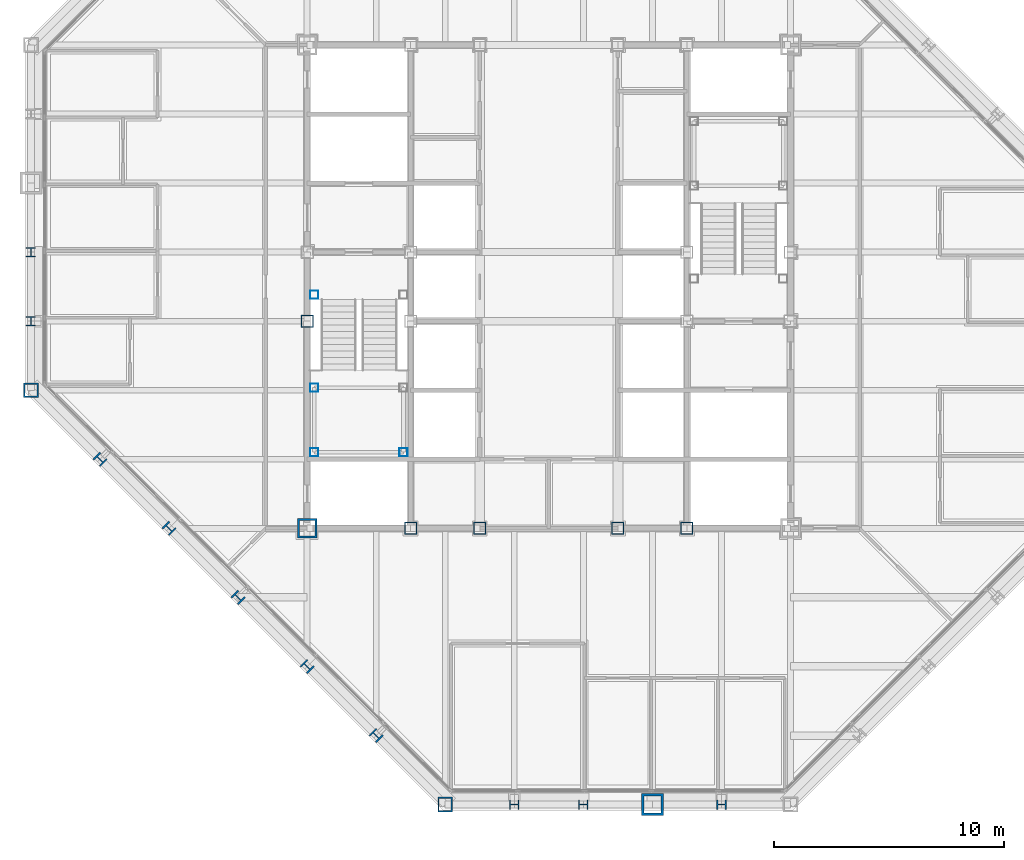
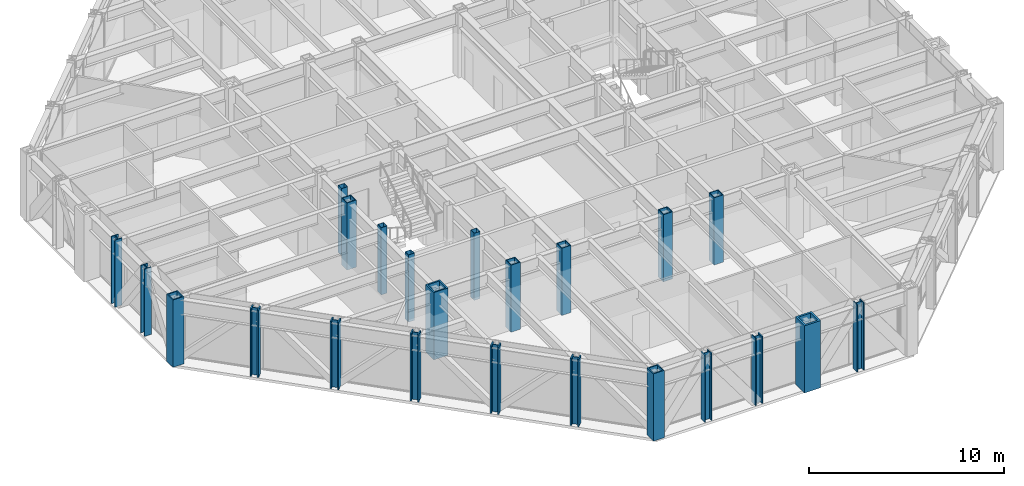
# One storey, part 1 of 16: 23 columns.
"""IFC4 building model written with IfcOpenShell, lengths in metres."""

from ifc_helpers import new_model, si_unit, direction, frame, origin, origin_2d, place, context, subcontext, project, spatial, hollow_rectangle, i_section, extrude, material, material_profile, profile_set, type_object, element, save


model = new_model("IFC4")

# Units and contexts
model_context = context("Model", 3, precision=1e-05, world=origin(), true_north=direction((0.0, 1.0)))
body_context = subcontext(model_context, "Body", "Model", "MODEL_VIEW")
ifc_project = project(units=[si_unit("LENGTHUNIT", "METRE"), si_unit("AREAUNIT", "SQUARE_METRE"), si_unit("VOLUMEUNIT", "CUBIC_METRE"), si_unit("PLANEANGLEUNIT", "RADIAN"), si_unit("MASSUNIT", "GRAM", prefix="KILO")], contexts=[model_context])

# Site, building, storey
site_placement = place(None, origin())
site = spatial("IfcSite", under=ifc_project, at=site_placement, CompositionType="ELEMENT")
building_placement = place(site_placement, origin())
building = spatial("IfcBuilding", under=site, at=building_placement, Name="Chuquiago Exchange Tower", CompositionType="ELEMENT")
storey_placement = place(building_placement, frame((0.0, 0.0, 226.5)))
storey = spatial("IfcBuildingStorey", under=building, at=storey_placement, Name="L50", CompositionType="ELEMENT", Elevation=226.5)

# Columns
ifc_material_1 = material(Name="Steel ASTM A992", Category="steel")
ifc_material_profile_1 = material_profile(ifc_material_1, i_section(OverallWidth=0.408935546875, OverallDepth=0.424072265625, WebThickness=0.03271484375, FlangeThickness=0.052490234375, at=origin_2d()), Name="W14X283")
ifc_profile_set_1 = profile_set([ifc_material_profile_1], Name="Steel ASTM A992")
column_type_1 = type_object("IfcColumnType", Name="C8 W14X283", PredefinedType="COLUMN", material=ifc_profile_set_1)
for number, where, z_axis, x_axis, name in (
    (1, (21.0, 0.0, 0.0), (0.0, 0.0, 1.0), (0.0, -1.0, 0.0), "COL-L50-21_0"),
    (2, (24.0, 0.0, 0.0), (0.0, 0.0, 1.0), (0.0, -1.0, 0.0), "COL-L50-24_0"),
    (3, (30.0, 0.0, 0.0), (0.0, 0.0, 1.0), (0.0, -1.0, 0.0), "COL-L50-30_0"),
    (4, (0.0, 24.0, 0.0), (0.0, 0.0, 1.0), (-1.0, 0.0, 0.0), "COL-L50-0_24"),
    (5, (0.0, 21.0, 0.0), (0.0, 0.0, 1.0), (-1.0, 0.0, 0.0), "COL-L50-0_21"),
):
    element("IfcColumn", number, at=place(storey_placement, frame(where, z_axis=z_axis, x_axis=x_axis)), inside=storey, type_object=column_type_1, Name=name, PredefinedType="COLUMN", context=body_context, shape_type="SweptSolid", body=[
        extrude(i_section(OverallWidth=0.408935546875, OverallDepth=0.424072265625, WebThickness=0.03271484375, FlangeThickness=0.052490234375, at=origin_2d()), origin(), (0.0, 0.0, 1.0), 4.199951171875),
    ])
ifc_material_2 = material(Name="Steel ASTM A572 Grade 50", Category="steel")
ifc_material_profile_2 = material_profile(ifc_material_2, hollow_rectangle(XDim=0.85009765625, YDim=0.85009765625, WallThickness=0.0849609375, at=origin_2d()), Name="BOX850X850X85")
ifc_profile_set_2 = profile_set([ifc_material_profile_2], Name="Steel ASTM A572 Grade 50")
column_type_2 = type_object("IfcColumnType", Name="CC6 BOX850X850X85", PredefinedType="COLUMN", material=ifc_profile_set_2)
column_1_placement = place(storey_placement, frame((12.0, 12.0, 0.0), z_axis=(0.0, 0.0, 1.0), x_axis=(1.0, 0.0, 0.0)))
element("IfcColumn", 6, at=column_1_placement, inside=storey, type_object=column_type_2, Name="CCOL-L50-12_12", PredefinedType="COLUMN", context=body_context, shape_type="SweptSolid", body=[
    extrude(hollow_rectangle(XDim=0.85009765625, YDim=0.85009765625, WallThickness=0.0849609375, at=origin_2d()), origin(), (0.0, 0.0, 1.0), 4.199951171875),
])
ifc_material_3 = material(Name="Steel ASTM A572 Grade 50", Category="steel")
ifc_material_profile_3 = material_profile(ifc_material_3, hollow_rectangle(XDim=0.550048828125, YDim=0.550048828125, WallThickness=0.044921875, at=origin_2d()), Name="BOX550X550X45")
ifc_profile_set_3 = profile_set([ifc_material_profile_3], Name="Steel ASTM A572 Grade 50")
column_type_3 = type_object("IfcColumnType", Name="CC8 BOX550X550X45", PredefinedType="COLUMN", material=ifc_profile_set_3)
for number, where, z_axis, x_axis, name in (
    (7, (16.5, 12.0, 0.0), (0.0, 0.0, 1.0), (1.0, 0.0, 0.0), "CCOL-L50-16.5_12"),
    (8, (19.5, 12.0, 0.0), (0.0, 0.0, 1.0), (1.0, 0.0, 0.0), "CCOL-L50-19.5_12"),
    (9, (25.5, 12.0, 0.0), (0.0, 0.0, 1.0), (1.0, 0.0, 0.0), "CCOL-L50-25.5_12"),
    (10, (28.5, 12.0, 0.0), (0.0, 0.0, 1.0), (1.0, 0.0, 0.0), "CCOL-L50-28.5_12"),
    (11, (12.0, 21.0, 0.0), (0.0, 0.0, 1.0), (1.0, 0.0, 0.0), "CCOL-L50-12_21"),
):
    element("IfcColumn", number, at=place(storey_placement, frame(where, z_axis=z_axis, x_axis=x_axis)), inside=storey, type_object=column_type_3, Name=name, PredefinedType="COLUMN", context=body_context, shape_type="SweptSolid", body=[
        extrude(hollow_rectangle(XDim=0.550048828125, YDim=0.550048828125, WallThickness=0.044921875, at=origin_2d()), origin(), (0.0, 0.0, 1.0), 4.199951171875),
    ])
ifc_material_4 = material(Name="Steel ASTM A992", Category="steel")
ifc_material_profile_4 = material_profile(ifc_material_4, i_section(OverallWidth=0.421630859375, OverallDepth=0.46484375, WebThickness=0.044921875, FlangeThickness=0.072509765625, at=origin_2d()), Name="W14X398")
ifc_profile_set_4 = profile_set([ifc_material_profile_4], Name="Steel ASTM A992")
column_type_4 = type_object("IfcColumnType", Name="CK7 W14X398", PredefinedType="COLUMN", material=ifc_profile_set_4)
for number, where, z_axis, x_axis, name in (
    (12, (3.0, 15.0, 0.0), (0.0, 0.0, 1.0), (-0.707106781187, -0.707106781187, 0.0), "COL-L50-3_15"),
    (13, (6.0, 12.0, 0.0), (0.0, 0.0, 1.0), (-0.707106781187, -0.707106781187, 0.0), "COL-L50-6_12"),
    (14, (9.0, 9.0, 0.0), (0.0, 0.0, 1.0), (-0.707106781187, -0.707106781187, 0.0), "COL-L50-9_9"),
    (15, (12.0, 6.0, 0.0), (0.0, 0.0, 1.0), (-0.707106781187, -0.707106781187, 0.0), "COL-L50-12_6"),
    (16, (15.0, 3.0, 0.0), (0.0, 0.0, 1.0), (-0.707106781187, -0.707106781187, 0.0), "COL-L50-15_3"),
):
    element("IfcColumn", number, at=place(storey_placement, frame(where, z_axis=z_axis, x_axis=x_axis)), inside=storey, type_object=column_type_4, Name=name, PredefinedType="COLUMN", context=body_context, shape_type="SweptSolid", body=[
        extrude(i_section(OverallWidth=0.421630859375, OverallDepth=0.46484375, WebThickness=0.044921875, FlangeThickness=0.072509765625, at=origin_2d()), origin(), (0.0, 0.0, 1.0), 4.199951171875),
    ])
ifc_material_5 = material(Name="Steel ASTM A572 Grade 50", Category="steel")
ifc_material_profile_5 = material_profile(ifc_material_5, hollow_rectangle(XDim=0.64990234375, YDim=0.64990234375, WallThickness=0.06494140625, at=origin_2d()), Name="BOX650X650X65")
ifc_profile_set_5 = profile_set([ifc_material_profile_5], Name="Steel ASTM A572 Grade 50")
column_type_5 = type_object("IfcColumnType", Name="CN2 BOX650X650X65", PredefinedType="COLUMN", material=ifc_profile_set_5)
for number, where, z_axis, x_axis, name in (
    (17, (18.0, 0.0, 0.0), (0.0, 0.0, 1.0), (0.0, -1.0, 0.0), "COL-L50-18_0"),
    (18, (0.0, 18.0, 0.0), (0.0, 0.0, 1.0), (-1.0, 0.0, 0.0), "COL-L50-0_18"),
):
    element("IfcColumn", number, at=place(storey_placement, frame(where, z_axis=z_axis, x_axis=x_axis)), inside=storey, type_object=column_type_5, Name=name, PredefinedType="COLUMN", context=body_context, shape_type="SweptSolid", body=[
        extrude(hollow_rectangle(XDim=0.64990234375, YDim=0.64990234375, WallThickness=0.06494140625, at=origin_2d()), origin(), (0.0, 0.0, 1.0), 4.199951171875),
    ])
ifc_material_6 = material(Name="Steel ASTM A572 Grade 42", Category="steel")
ifc_material_profile_6 = material_profile(ifc_material_6, hollow_rectangle(XDim=0.949951171875, YDim=0.949951171875, WallThickness=0.110107421875, at=origin_2d()), Name="BOX950X950X110")
ifc_profile_set_6 = profile_set([ifc_material_profile_6], Name="Steel ASTM A572 Grade 42")
column_type_6 = type_object("IfcColumnType", Name="CT1 BOX950X950X110", PredefinedType="COLUMN", material=ifc_profile_set_6)
column_2_placement = place(storey_placement, frame((27.0, 0.0, 0.0), z_axis=(0.0, 0.0, 1.0), x_axis=(0.0, -1.0, 0.0)))
element("IfcColumn", 19, at=column_2_placement, inside=storey, type_object=column_type_6, Name="COL-L50-27_0", PredefinedType="COLUMN", context=body_context, shape_type="SweptSolid", body=[
    extrude(hollow_rectangle(XDim=0.949951171875, YDim=0.949951171875, WallThickness=0.110107421875, at=origin_2d()), origin(), (0.0, 0.0, 1.0), 4.199951171875),
])
ifc_material_7 = material(Name="Steel ASTM A500 Grade C", Category="steel")
ifc_material_profile_7 = material_profile(ifc_material_7, hollow_rectangle(XDim=0.355712890625, YDim=0.355712890625, WallThickness=0.0087890625, at=origin_2d()), Name="HSS14X14X3/8")
ifc_profile_set_7 = profile_set([ifc_material_profile_7], Name="Steel ASTM A500 Grade C")
column_type_7 = type_object("IfcColumnType", Name="PT1 HSS14X14X3/8", PredefinedType="COLUMN", material=ifc_profile_set_7)
for number, where, z_axis, x_axis, name in (
    (20, (12.31005859375, 15.31005859375, 0.0), (0.0, 0.0, 1.0), (1.0, 0.0, 0.0), "Stair ST1 L50 landing post"),
    (21, (16.18994140625, 15.31005859375, 0.0), (0.0, 0.0, 1.0), (1.0, 0.0, 0.0), "Stair ST1 L50 landing post"),
    (22, (12.31005859375, 18.110107421875, 0.0), (0.0, 0.0, 1.0), (1.0, 0.0, 0.0), "Stair ST1 L50 landing post"),
    (23, (12.31005859375, 22.14990234375, 0.0), (0.0, 0.0, 1.0), (1.0, 0.0, 0.0), "Stair ST1 L50 landing post"),
):
    element("IfcColumn", number, at=place(storey_placement, frame(where, z_axis=z_axis, x_axis=x_axis)), inside=storey, type_object=column_type_7, Name=name, PredefinedType="COLUMN", context=body_context, shape_type="SweptSolid", body=[
        extrude(hollow_rectangle(XDim=0.355712890625, YDim=0.355712890625, WallThickness=0.0087890625, at=origin_2d()), origin(), (0.0, 0.0, 1.0), 4.199951171875),
    ])

save(model, "model.ifc")
